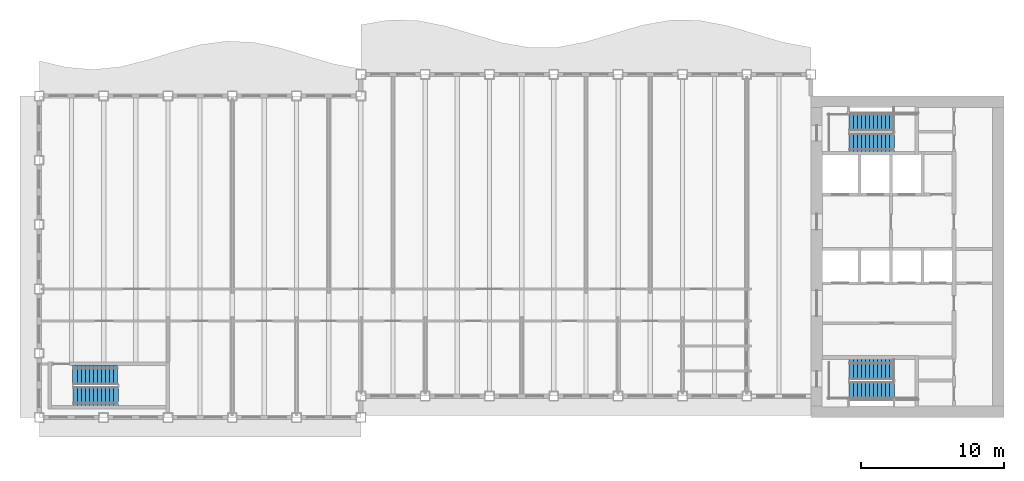
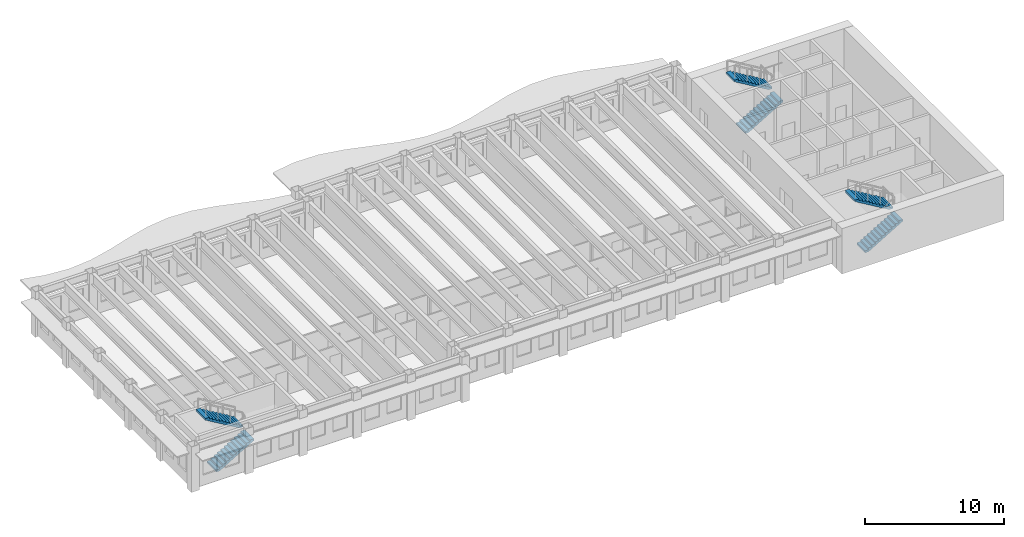
# One storey, part 7 of 12: 6 stair flights, 3 elements without a shape of their own.
"""IFC4 building model written with IfcOpenShell, lengths in metres."""

from ifc_helpers import new_model, si_unit, direction, frame, origin, place, context, subcontext, project, spatial, polyline, outline, extrude, material, type_object, element, aggregate, save


model = new_model("IFC4")

# Units and contexts
model_context = context("Model", 3, precision=1e-05, world=origin(), true_north=direction((0.0, 1.0)))
body_context = subcontext(model_context, "Body", "Model", "MODEL_VIEW")
ifc_project = project(units=[si_unit("LENGTHUNIT", "METRE"), si_unit("AREAUNIT", "SQUARE_METRE"), si_unit("VOLUMEUNIT", "CUBIC_METRE"), si_unit("PLANEANGLEUNIT", "RADIAN"), si_unit("MASSUNIT", "GRAM", prefix="KILO")], contexts=[model_context])

# Site, building, storey
site_placement = place(None, origin())
site = spatial("IfcSite", under=ifc_project, at=site_placement, CompositionType="ELEMENT")
building_placement = place(site_placement, origin())
building = spatial("IfcBuilding", under=site, at=building_placement, Name="Sennacour Bend Tower", CompositionType="ELEMENT")
storey_placement = place(building_placement, frame((0.0, 0.0, 277.0)))
storey = spatial("IfcBuildingStorey", under=building, at=storey_placement, Name="L64", CompositionType="ELEMENT", Elevation=277.0)

# Stair, stair flights
ifc_material = material(Name="Concrete C40/50", Category="concrete")
stair_type = type_object("IfcStairType", Name="ST-DOGLEG", PredefinedType="HALF_TURN_STAIR", material=ifc_material)
stair_1_placement = place(storey_placement, origin())
stair_1 = element("IfcStair", 1, at=stair_1_placement, inside=storey, type_object=stair_type, Name="L64 Exit stair A1", PredefinedType="HALF_TURN_STAIR")
stair_flight_type = type_object("IfcStairFlightType", Name="SFL-RC", PredefinedType="STRAIGHT", material=ifc_material)
stair_flight_1_placement = place(storey_placement, frame((56.699951171875, 1.89990234375, 0.0), z_axis=(0.0, 0.0, 1.0), x_axis=(1.0, 0.0, 0.0)))
stair_flight_1 = element("IfcStairFlight", 2, at=stair_flight_1_placement, type_object=stair_flight_type, Name="SA1 flight 1", NumberOfRisers=12, NumberOfTreads=11, PredefinedType="STRAIGHT", RiserHeight=0.166666667, TreadLength=0.28, context=body_context, shape_type="SweptSolid", body=[
    extrude(outline(polyline([(0.0, 0.0), (0.0, 0.166748046875), (0.280029296875, 0.166748046875), (0.280029296875, 0.333251953125), (0.56005859375, 0.333251953125), (0.56005859375, 0.5), (0.840087890625, 0.5), (0.840087890625, 0.666748046875), (1.1201171875, 0.666748046875), (1.1201171875, 0.833251953125), (1.39990234375, 0.833251953125), (1.39990234375, 1.0), (1.679931640625, 1.0), (1.679931640625, 1.166748046875), (1.9599609375, 1.166748046875), (1.9599609375, 1.333251953125), (2.239990234375, 1.333251953125), (2.239990234375, 1.5), (2.52001953125, 1.5), (2.52001953125, 1.666748046875), (2.800048828125, 1.666748046875), (2.800048828125, 1.833251953125), (3.080078125, 1.833251953125), (3.139892578125, 1.833251953125), (3.139892578125, 1.658935546875), (3.080078125, 1.658935546875), (0.29296875, 0.0), (0.0, 0.0)])), frame((0.0, 0.60009765625, 0.0), z_axis=(0.0, -1.0, 0.0), x_axis=(1.0, 0.0, 0.0)), (0.0, 0.0, 1.0), 1.199951171875),
])
stair_flight_2_placement = place(storey_placement, frame((59.780029296875, 3.37744140625, 2.0), z_axis=(0.0, 0.0, 1.0), x_axis=(-1.0, 0.0, 0.0)))
stair_flight_2 = element("IfcStairFlight", 3, at=stair_flight_2_placement, type_object=stair_flight_type, Name="SA1 flight 2", NumberOfRisers=12, NumberOfTreads=11, PredefinedType="STRAIGHT", RiserHeight=0.166666667, TreadLength=0.28, context=body_context, shape_type="SweptSolid", body=[
    extrude(outline(polyline([(0.0, 0.0), (0.0, 0.166748046875), (0.280029296875, 0.166748046875), (0.280029296875, 0.333251953125), (0.56005859375, 0.333251953125), (0.56005859375, 0.5), (0.840087890625, 0.5), (0.840087890625, 0.666748046875), (1.1201171875, 0.666748046875), (1.1201171875, 0.833251953125), (1.39990234375, 0.833251953125), (1.39990234375, 1.0), (1.679931640625, 1.0), (1.679931640625, 1.166748046875), (1.9599609375, 1.166748046875), (1.9599609375, 1.333251953125), (2.239990234375, 1.333251953125), (2.239990234375, 1.5), (2.52001953125, 1.5), (2.52001953125, 1.666748046875), (2.800048828125, 1.666748046875), (2.800048828125, 1.833251953125), (3.080078125, 1.833251953125), (3.139892578125, 1.833251953125), (3.139892578125, 1.658935546875), (3.080078125, 1.658935546875), (0.29296875, 0.0), (0.0, 0.0)])), frame((0.0, 0.7275390625, 0.0), z_axis=(0.0, -1.0, 0.0), x_axis=(1.0, 0.0, 0.0)), (0.0, 0.0, 1.0), 1.455078125),
])
aggregate(stair_1, [stair_flight_1, stair_flight_2])

stair_2_placement = place(storey_placement, origin())
stair_2 = element("IfcStair", 4, at=stair_2_placement, inside=storey, type_object=stair_type, Name="L64 Exit stair A2", PredefinedType="HALF_TURN_STAIR")
stair_flight_3_placement = place(storey_placement, frame((56.699951171875, 19.24755859375, 0.0), z_axis=(0.0, 0.0, 1.0), x_axis=(1.0, 0.0, 0.0)))
stair_flight_3 = element("IfcStairFlight", 5, at=stair_flight_3_placement, type_object=stair_flight_type, Name="SA2 flight 1", NumberOfRisers=12, NumberOfTreads=11, PredefinedType="STRAIGHT", RiserHeight=0.166666667, TreadLength=0.28, context=body_context, shape_type="SweptSolid", body=[
    extrude(outline(polyline([(0.0, 0.0), (0.0, 0.166748046875), (0.280029296875, 0.166748046875), (0.280029296875, 0.333251953125), (0.56005859375, 0.333251953125), (0.56005859375, 0.5), (0.840087890625, 0.5), (0.840087890625, 0.666748046875), (1.1201171875, 0.666748046875), (1.1201171875, 0.833251953125), (1.39990234375, 0.833251953125), (1.39990234375, 1.0), (1.679931640625, 1.0), (1.679931640625, 1.166748046875), (1.9599609375, 1.166748046875), (1.9599609375, 1.333251953125), (2.239990234375, 1.333251953125), (2.239990234375, 1.5), (2.52001953125, 1.5), (2.52001953125, 1.666748046875), (2.800048828125, 1.666748046875), (2.800048828125, 1.833251953125), (3.080078125, 1.833251953125), (3.139892578125, 1.833251953125), (3.139892578125, 1.658935546875), (3.080078125, 1.658935546875), (0.29296875, 0.0), (0.0, 0.0)])), frame((0.0, 0.65234375, 0.0), z_axis=(0.0, -1.0, 0.0), x_axis=(1.0, 0.0, 0.0)), (0.0, 0.0, 1.0), 1.304931640625),
])
stair_flight_4_placement = place(storey_placement, frame((59.780029296875, 20.64990234375, 2.0), z_axis=(0.0, 0.0, 1.0), x_axis=(-1.0, 0.0, 0.0)))
stair_flight_4 = element("IfcStairFlight", 6, at=stair_flight_4_placement, type_object=stair_flight_type, Name="SA2 flight 2", NumberOfRisers=12, NumberOfTreads=11, PredefinedType="STRAIGHT", RiserHeight=0.166666667, TreadLength=0.28, context=body_context, shape_type="SweptSolid", body=[
    extrude(outline(polyline([(0.0, 0.0), (0.0, 0.166748046875), (0.280029296875, 0.166748046875), (0.280029296875, 0.333251953125), (0.56005859375, 0.333251953125), (0.56005859375, 0.5), (0.840087890625, 0.5), (0.840087890625, 0.666748046875), (1.1201171875, 0.666748046875), (1.1201171875, 0.833251953125), (1.39990234375, 0.833251953125), (1.39990234375, 1.0), (1.679931640625, 1.0), (1.679931640625, 1.166748046875), (1.9599609375, 1.166748046875), (1.9599609375, 1.333251953125), (2.239990234375, 1.333251953125), (2.239990234375, 1.5), (2.52001953125, 1.5), (2.52001953125, 1.666748046875), (2.800048828125, 1.666748046875), (2.800048828125, 1.833251953125), (3.080078125, 1.833251953125), (3.139892578125, 1.833251953125), (3.139892578125, 1.658935546875), (3.080078125, 1.658935546875), (0.29296875, 0.0), (0.0, 0.0)])), frame((0.0, 0.60009765625, 0.0), z_axis=(0.0, -1.0, 0.0), x_axis=(1.0, 0.0, 0.0)), (0.0, 0.0, 1.0), 1.199951171875),
])
aggregate(stair_2, [stair_flight_3, stair_flight_4])

stair_3_placement = place(storey_placement, origin())
stair_3 = element("IfcStair", 7, at=stair_3_placement, inside=storey, type_object=stair_type, Name="L64 Exit stair K1", PredefinedType="HALF_TURN_STAIR")
stair_flight_5_placement = place(storey_placement, frame((2.39990234375, 1.485107421875, 0.0), z_axis=(0.0, 0.0, 1.0), x_axis=(1.0, 0.0, 0.0)))
stair_flight_5 = element("IfcStairFlight", 8, at=stair_flight_5_placement, type_object=stair_flight_type, Name="SK1 flight 1", NumberOfRisers=12, NumberOfTreads=11, PredefinedType="STRAIGHT", RiserHeight=0.166666667, TreadLength=0.28, context=body_context, shape_type="SweptSolid", body=[
    extrude(outline(polyline([(0.0, 0.0), (0.0, 0.166748046875), (0.280029296875, 0.166748046875), (0.280029296875, 0.333251953125), (0.56005859375, 0.333251953125), (0.56005859375, 0.5), (0.840087890625, 0.5), (0.840087890625, 0.666748046875), (1.1201171875, 0.666748046875), (1.1201171875, 0.833251953125), (1.39990234375, 0.833251953125), (1.39990234375, 1.0), (1.679931640625, 1.0), (1.679931640625, 1.166748046875), (1.9599609375, 1.166748046875), (1.9599609375, 1.333251953125), (2.239990234375, 1.333251953125), (2.239990234375, 1.5), (2.52001953125, 1.5), (2.52001953125, 1.666748046875), (2.800048828125, 1.666748046875), (2.800048828125, 1.833251953125), (3.080078125, 1.833251953125), (3.139892578125, 1.833251953125), (3.139892578125, 1.658935546875), (3.080078125, 1.658935546875), (0.29296875, 0.0), (0.0, 0.0)])), frame((0.0, 0.6650390625, 0.0), z_axis=(0.0, -1.0, 0.0), x_axis=(1.0, 0.0, 0.0)), (0.0, 0.0, 1.0), 1.330078125),
])
stair_flight_6_placement = place(storey_placement, frame((5.47998046875, 2.9775390625, 2.0), z_axis=(0.0, 0.0, 1.0), x_axis=(-1.0, 0.0, 0.0)))
stair_flight_6 = element("IfcStairFlight", 9, at=stair_flight_6_placement, type_object=stair_flight_type, Name="SK1 flight 2", NumberOfRisers=12, NumberOfTreads=11, PredefinedType="STRAIGHT", RiserHeight=0.166666667, TreadLength=0.28, context=body_context, shape_type="SweptSolid", body=[
    extrude(outline(polyline([(0.0, 0.0), (0.0, 0.166748046875), (0.280029296875, 0.166748046875), (0.280029296875, 0.333251953125), (0.56005859375, 0.333251953125), (0.56005859375, 0.5), (0.840087890625, 0.5), (0.840087890625, 0.666748046875), (1.1201171875, 0.666748046875), (1.1201171875, 0.833251953125), (1.39990234375, 0.833251953125), (1.39990234375, 1.0), (1.679931640625, 1.0), (1.679931640625, 1.166748046875), (1.9599609375, 1.166748046875), (1.9599609375, 1.333251953125), (2.239990234375, 1.333251953125), (2.239990234375, 1.5), (2.52001953125, 1.5), (2.52001953125, 1.666748046875), (2.800048828125, 1.666748046875), (2.800048828125, 1.833251953125), (3.080078125, 1.833251953125), (3.139892578125, 1.833251953125), (3.139892578125, 1.658935546875), (3.080078125, 1.658935546875), (0.29296875, 0.0), (0.0, 0.0)])), frame((0.0, 0.677490234375, 0.0), z_axis=(0.0, -1.0, 0.0), x_axis=(1.0, 0.0, 0.0)), (0.0, 0.0, 1.0), 1.35498046875),
])
aggregate(stair_3, [stair_flight_5, stair_flight_6])

save(model, "model.ifc")
